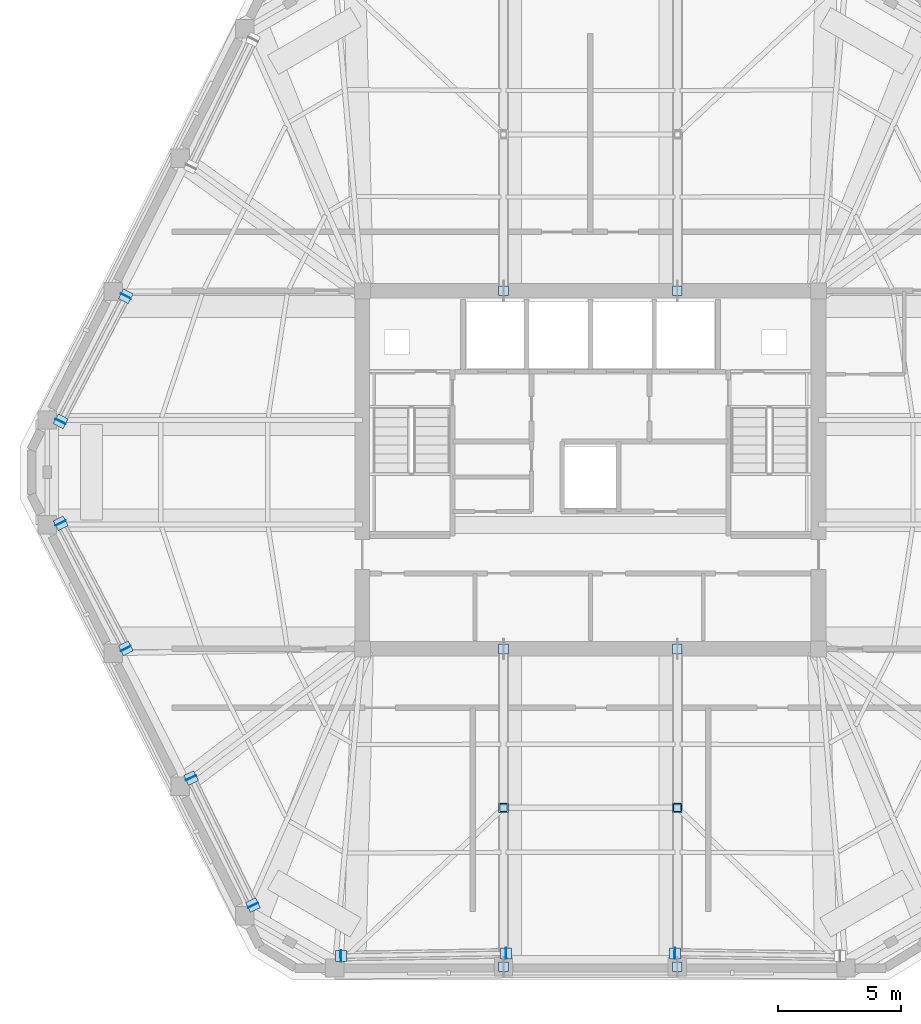
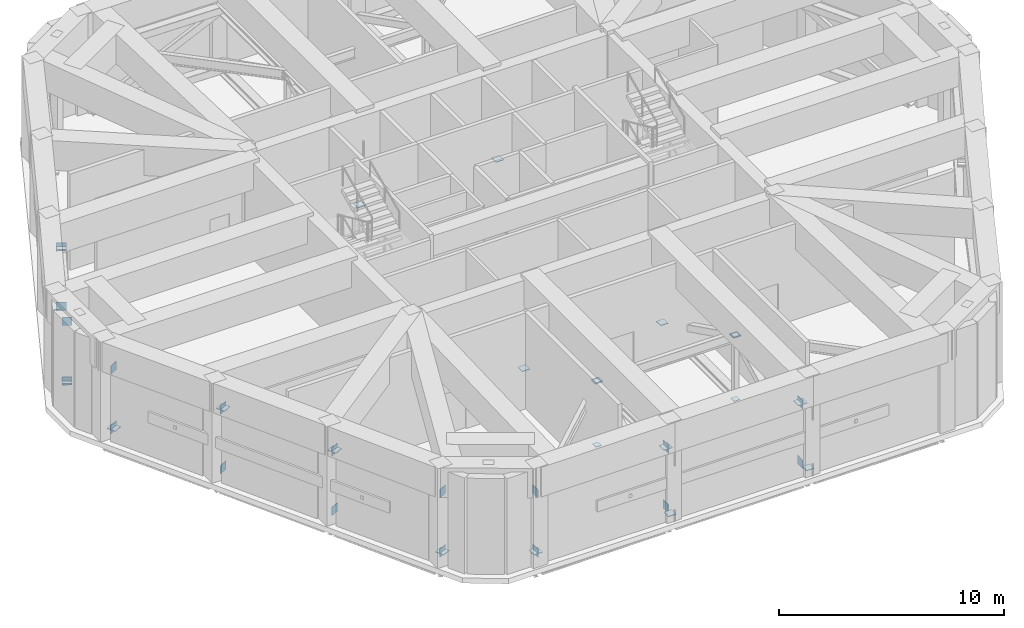
# One storey, part 7 of 15: 39 plates.
"""IFC4 building model written with IfcOpenShell, lengths in metres."""

from ifc_helpers import new_model, si_unit, direction, frame, origin, origin_2d, place, context, subcontext, project, spatial, rectangle, extrude, material, layer, layer_set, type_object, element, save


model = new_model("IFC4")

# Units and contexts
model_context = context("Model", 3, precision=1e-05, world=origin(), true_north=direction((0.0, 1.0)))
body_context = subcontext(model_context, "Body", "Model", "MODEL_VIEW")
ifc_project = project(units=[si_unit("LENGTHUNIT", "METRE"), si_unit("AREAUNIT", "SQUARE_METRE"), si_unit("VOLUMEUNIT", "CUBIC_METRE"), si_unit("PLANEANGLEUNIT", "RADIAN"), si_unit("MASSUNIT", "GRAM", prefix="KILO")], contexts=[model_context])

# Site, building, storey
site_placement = place(None, origin())
site = spatial("IfcSite", under=ifc_project, at=site_placement, CompositionType="ELEMENT")
building_placement = place(site_placement, origin())
building = spatial("IfcBuilding", under=site, at=building_placement, Name="Cinnabar Lancet Tower", CompositionType="ELEMENT")
storey_placement = place(building_placement, frame((0.0, 0.0, 221.60009765625)))
storey = spatial("IfcBuildingStorey", under=building, at=storey_placement, Name="L59", CompositionType="ELEMENT", Elevation=221.60009765625)

# Plates
ifc_material = material(Name="Structural steel S460", Category="steel")
ifc_layer = layer(ifc_material, 0.030029296875)
ifc_layer_set = layer_set([ifc_layer], Name="Structural steel S460")
plate_type = type_object("IfcPlateType", Name="STR-PL-CAP-25", PredefinedType="SHEET", material=ifc_layer_set)
for number, where, z_axis, x_axis, name in (
    (1, (28.85693359375, 12.12109375, -0.02490234375), (0.0, 0.0, 1.0), (1.0, 0.0, 0.0), "Hollow section end cap plate CP-OTVP-L59-1B"),
    (2, (28.85693359375, 12.12109375, 3.44482421875), (0.0, 0.0, 1.0), (1.0, 0.0, 0.0), "Hollow section end cap plate CP-OTVP-L59-1T"),
):
    element("IfcPlate", number, at=place(storey_placement, frame(where, z_axis=z_axis, x_axis=x_axis)), inside=storey, type_object=plate_type, Name=name, PredefinedType="SHEET", context=body_context, shape_type="SweptSolid", body=[
        extrude(rectangle(XDim=0.300048828125, YDim=0.300048828125, at=origin_2d()), origin(), (0.0, 0.0, 1.0), 0.030029296875),
    ])
for number, where, z_axis, x_axis, name in (
    (3, (28.85693359375, 18.60009765625, 0.19482421875), (0.0, 0.0, 1.0), (0.0, 1.0, 0.0), "Hollow section end cap plate CP-OTD-L59-1-1A"),
    (4, (28.85693359375, 12.12109375, 3.44482421875), (0.0, 0.0, 1.0), (0.0, -1.0, 0.0), "Hollow section end cap plate CP-OTD-L59-1-1B"),
    (5, (28.85693359375, 5.64208984375, 0.19482421875), (0.0, 0.0, 1.0), (0.0, -1.0, 0.0), "Hollow section end cap plate CP-OTD-L59-1-2B"),
):
    element("IfcPlate", number, at=place(storey_placement, frame(where, z_axis=z_axis, x_axis=x_axis)), inside=storey, type_object=plate_type, Name=name, PredefinedType="SHEET", context=body_context, shape_type="SweptSolid", body=[
        extrude(rectangle(XDim=0.39990234375, YDim=0.39990234375, at=origin_2d()), origin(), (0.0, 0.0, 1.0), 0.030029296875),
    ])
for number, where, z_axis, x_axis, name in (
    (6, (35.943115234375, 12.12109375, -0.02490234375), (0.0, 0.0, 1.0), (1.0, 0.0, 0.0), "Hollow section end cap plate CP-OTVP-L59-2B"),
    (7, (35.943115234375, 12.12109375, 3.44482421875), (0.0, 0.0, 1.0), (1.0, 0.0, 0.0), "Hollow section end cap plate CP-OTVP-L59-2T"),
):
    element("IfcPlate", number, at=place(storey_placement, frame(where, z_axis=z_axis, x_axis=x_axis)), inside=storey, type_object=plate_type, Name=name, PredefinedType="SHEET", context=body_context, shape_type="SweptSolid", body=[
        extrude(rectangle(XDim=0.300048828125, YDim=0.300048828125, at=origin_2d()), origin(), (0.0, 0.0, 1.0), 0.030029296875),
    ])
for number, where, z_axis, x_axis, name in (
    (8, (35.943115234375, 18.60009765625, 0.19482421875), (0.0, 0.0, 1.0), (0.0, 1.0, 0.0), "Hollow section end cap plate CP-OTD-L59-2-1A"),
    (9, (35.943115234375, 12.12109375, 3.44482421875), (0.0, 0.0, 1.0), (0.0, -1.0, 0.0), "Hollow section end cap plate CP-OTD-L59-2-1B"),
    (10, (35.943115234375, 5.64208984375, 0.19482421875), (0.0, 0.0, 1.0), (0.0, -1.0, 0.0), "Hollow section end cap plate CP-OTD-L59-2-2B"),
    (11, (35.943115234375, 33.199951171875, 0.19482421875), (0.0, 0.0, 1.0), (0.0, -1.0, 0.0), "Hollow section end cap plate CP-OTD-L59-3-1A"),
    (12, (28.85693359375, 33.199951171875, 0.19482421875), (0.0, 0.0, 1.0), (0.0, -1.0, 0.0), "Hollow section end cap plate CP-OTD-L59-4-1A"),
):
    element("IfcPlate", number, at=place(storey_placement, frame(where, z_axis=z_axis, x_axis=x_axis)), inside=storey, type_object=plate_type, Name=name, PredefinedType="SHEET", context=body_context, shape_type="SweptSolid", body=[
        extrude(rectangle(XDim=0.39990234375, YDim=0.39990234375, at=origin_2d()), origin(), (0.0, 0.0, 1.0), 0.030029296875),
    ])
for number, where, z_axis, x_axis, name in (
    (13, (22.222900390625, 6.077880859375, -0.0048828125), (0.0, 0.0, 1.0), (-0.999875533467, -0.015777121831, 0.0), "Hollow section end cap plate CP-BTC-L59-1-1-BC0"),
    (14, (28.9599609375, 6.18408203125, -0.0048828125), (0.0, 0.0, 1.0), (0.999875533467, 0.015777121831, 0.0), "Hollow section end cap plate CP-BTC-L59-1-1-BC1"),
    (15, (22.222900390625, 6.077880859375, 3.22509765625), (0.0, 0.0, 1.0), (-0.999875533467, -0.015777121831, 0.0), "Hollow section end cap plate CP-BTC-L59-1-1-TC0"),
    (16, (28.9599609375, 6.18408203125, 3.22509765625), (0.0, 0.0, 1.0), (0.999875533467, 0.015777121831, 0.0), "Hollow section end cap plate CP-BTC-L59-1-1-TC1"),
):
    element("IfcPlate", number, at=place(storey_placement, frame(where, z_axis=z_axis, x_axis=x_axis)), inside=storey, type_object=plate_type, Name=name, PredefinedType="SHEET", context=body_context, shape_type="SweptSolid", body=[
        extrude(rectangle(XDim=0.030029296875, YDim=0.449951171875, at=origin_2d()), origin(), (0.0, 0.0, 1.0), 0.449951171875),
    ])
for number, where, z_axis, x_axis, name in (
    (17, (22.23095703125, 6.077880859375, 0.19482421875), (0.0, 0.0, 1.0), (-0.999875533467, -0.015777121831, 0.0), "Hollow section end cap plate CP-BTD-L59-1-1-0"),
    (18, (28.951904296875, 6.18408203125, 3.44482421875), (0.0, 0.0, 1.0), (0.999875533467, 0.015777121831, 0.0), "Hollow section end cap plate CP-BTD-L59-1-1-1"),
):
    element("IfcPlate", number, at=place(storey_placement, frame(where, z_axis=z_axis, x_axis=x_axis)), inside=storey, type_object=plate_type, Name=name, PredefinedType="SHEET", context=body_context, shape_type="SweptSolid", body=[
        extrude(rectangle(XDim=0.449951171875, YDim=0.449951171875, at=origin_2d()), origin(), (0.0, 0.0, 1.0), 0.030029296875),
    ])
for number, where, z_axis, x_axis, name in (
    (19, (35.840087890625, 6.18408203125, -0.0048828125), (0.0, 0.0, 1.0), (-0.999875533467, 0.015777121831, 0.0), "Hollow section end cap plate CP-BTC-L59-1-3-BC0"),
    (20, (35.840087890625, 6.18408203125, 3.22509765625), (0.0, 0.0, 1.0), (-0.999875533467, 0.015777121831, 0.0), "Hollow section end cap plate CP-BTC-L59-1-3-TC0"),
):
    element("IfcPlate", number, at=place(storey_placement, frame(where, z_axis=z_axis, x_axis=x_axis)), inside=storey, type_object=plate_type, Name=name, PredefinedType="SHEET", context=body_context, shape_type="SweptSolid", body=[
        extrude(rectangle(XDim=0.030029296875, YDim=0.449951171875, at=origin_2d()), origin(), (0.0, 0.0, 1.0), 0.449951171875),
    ])
plate_placement = place(storey_placement, frame((35.847900390625, 6.18408203125, 3.44482421875), z_axis=(0.0, 0.0, 1.0), x_axis=(-0.999875533467, 0.015777121831, 0.0)))
element("IfcPlate", 21, at=plate_placement, inside=storey, type_object=plate_type, Name="Hollow section end cap plate CP-BTD-L59-1-3-0", PredefinedType="SHEET", context=body_context, shape_type="SweptSolid", body=[
    extrude(rectangle(XDim=0.449951171875, YDim=0.449951171875, at=origin_2d()), origin(), (0.0, 0.0, 1.0), 0.030029296875),
])
for number, where, z_axis, x_axis, name in (
    (22, (13.4599609375, 32.98291015625, -0.0048828125), (0.0, 0.0, 1.0), (0.462120122944, 0.88681733856, 0.0), "Hollow section end cap plate CP-BTC-L59-5-3-BC0"),
    (23, (10.7958984375, 27.8720703125, -0.0048828125), (0.0, 0.0, 1.0), (-0.462120122944, -0.88681733856, 0.0), "Hollow section end cap plate CP-BTC-L59-5-3-BC1"),
    (24, (13.4599609375, 32.98291015625, 3.22509765625), (0.0, 0.0, 1.0), (0.462120122944, 0.88681733856, 0.0), "Hollow section end cap plate CP-BTC-L59-5-3-TC0"),
    (25, (10.7958984375, 27.8720703125, 3.22509765625), (0.0, 0.0, 1.0), (-0.462120122944, -0.88681733856, 0.0), "Hollow section end cap plate CP-BTC-L59-5-3-TC1"),
):
    element("IfcPlate", number, at=place(storey_placement, frame(where, z_axis=z_axis, x_axis=x_axis)), inside=storey, type_object=plate_type, Name=name, PredefinedType="SHEET", context=body_context, shape_type="SweptSolid", body=[
        extrude(rectangle(XDim=0.030029296875, YDim=0.449951171875, at=origin_2d()), origin(), (0.0, 0.0, 1.0), 0.449951171875),
    ])
for number, where, z_axis, x_axis, name in (
    (26, (13.4560546875, 32.97607421875, 3.44482421875), (0.0, 0.0, 1.0), (0.462120122944, 0.88681733856, 0.0), "Hollow section end cap plate CP-BTD-L59-5-3-0"),
    (27, (10.800048828125, 27.87890625, 0.19482421875), (0.0, 0.0, 1.0), (-0.462120122944, -0.88681733856, 0.0), "Hollow section end cap plate CP-BTD-L59-5-3-1"),
):
    element("IfcPlate", number, at=place(storey_placement, frame(where, z_axis=z_axis, x_axis=x_axis)), inside=storey, type_object=plate_type, Name=name, PredefinedType="SHEET", context=body_context, shape_type="SweptSolid", body=[
        extrude(rectangle(XDim=0.449951171875, YDim=0.449951171875, at=origin_2d()), origin(), (0.0, 0.0, 1.0), 0.030029296875),
    ])
for number, where, z_axis, x_axis, name in (
    (28, (10.7958984375, 23.72802734375, -0.0048828125), (0.0, 0.0, 1.0), (-0.462120122944, 0.88681733856, 0.0), "Hollow section end cap plate CP-BTC-L59-6-1-BC0"),
    (29, (13.4599609375, 18.616943359375, -0.0048828125), (0.0, 0.0, 1.0), (0.462120122944, -0.88681733856, 0.0), "Hollow section end cap plate CP-BTC-L59-6-1-BC1"),
    (30, (10.7958984375, 23.72802734375, 3.22509765625), (0.0, 0.0, 1.0), (-0.462120122944, 0.88681733856, 0.0), "Hollow section end cap plate CP-BTC-L59-6-1-TC0"),
    (31, (13.4599609375, 18.616943359375, 3.22509765625), (0.0, 0.0, 1.0), (0.462120122944, -0.88681733856, 0.0), "Hollow section end cap plate CP-BTC-L59-6-1-TC1"),
):
    element("IfcPlate", number, at=place(storey_placement, frame(where, z_axis=z_axis, x_axis=x_axis)), inside=storey, type_object=plate_type, Name=name, PredefinedType="SHEET", context=body_context, shape_type="SweptSolid", body=[
        extrude(rectangle(XDim=0.030029296875, YDim=0.449951171875, at=origin_2d()), origin(), (0.0, 0.0, 1.0), 0.449951171875),
    ])
for number, where, z_axis, x_axis, name in (
    (32, (10.800048828125, 23.720947265625, 0.19482421875), (0.0, 0.0, 1.0), (-0.462120122944, 0.88681733856, 0.0), "Hollow section end cap plate CP-BTD-L59-6-1-0"),
    (33, (13.4560546875, 18.6240234375, 3.44482421875), (0.0, 0.0, 1.0), (0.462120122944, -0.88681733856, 0.0), "Hollow section end cap plate CP-BTD-L59-6-1-1"),
):
    element("IfcPlate", number, at=place(storey_placement, frame(where, z_axis=z_axis, x_axis=x_axis)), inside=storey, type_object=plate_type, Name=name, PredefinedType="SHEET", context=body_context, shape_type="SweptSolid", body=[
        extrude(rectangle(XDim=0.449951171875, YDim=0.449951171875, at=origin_2d()), origin(), (0.0, 0.0, 1.0), 0.030029296875),
    ])
for number, where, z_axis, x_axis, name in (
    (34, (16.114013671875, 13.342041015625, -0.0048828125), (0.0, 0.0, 1.0), (-0.437963241868, 0.898992880268, 0.0), "Hollow section end cap plate CP-BTC-L59-6-3-BC0"),
    (35, (18.64697265625, 8.14501953125, -0.0048828125), (0.0, 0.0, 1.0), (0.437963241868, -0.898992880268, 0.0), "Hollow section end cap plate CP-BTC-L59-6-3-BC1"),
    (36, (16.114013671875, 13.342041015625, 3.22509765625), (0.0, 0.0, 1.0), (-0.437963241868, 0.898992880268, 0.0), "Hollow section end cap plate CP-BTC-L59-6-3-TC0"),
    (37, (18.64697265625, 8.14501953125, 3.22509765625), (0.0, 0.0, 1.0), (0.437963241868, -0.898992880268, 0.0), "Hollow section end cap plate CP-BTC-L59-6-3-TC1"),
):
    element("IfcPlate", number, at=place(storey_placement, frame(where, z_axis=z_axis, x_axis=x_axis)), inside=storey, type_object=plate_type, Name=name, PredefinedType="SHEET", context=body_context, shape_type="SweptSolid", body=[
        extrude(rectangle(XDim=0.030029296875, YDim=0.449951171875, at=origin_2d()), origin(), (0.0, 0.0, 1.0), 0.449951171875),
    ])
for number, where, z_axis, x_axis, name in (
    (38, (16.117919921875, 13.3349609375, 3.44482421875), (0.0, 0.0, 1.0), (-0.437963241868, 0.898992880268, 0.0), "Hollow section end cap plate CP-BTD-L59-6-3-0"),
    (39, (18.64306640625, 8.152099609375, 0.19482421875), (0.0, 0.0, 1.0), (0.437963241868, -0.898992880268, 0.0), "Hollow section end cap plate CP-BTD-L59-6-3-1"),
):
    element("IfcPlate", number, at=place(storey_placement, frame(where, z_axis=z_axis, x_axis=x_axis)), inside=storey, type_object=plate_type, Name=name, PredefinedType="SHEET", context=body_context, shape_type="SweptSolid", body=[
        extrude(rectangle(XDim=0.449951171875, YDim=0.449951171875, at=origin_2d()), origin(), (0.0, 0.0, 1.0), 0.030029296875),
    ])

save(model, "model.ifc")
